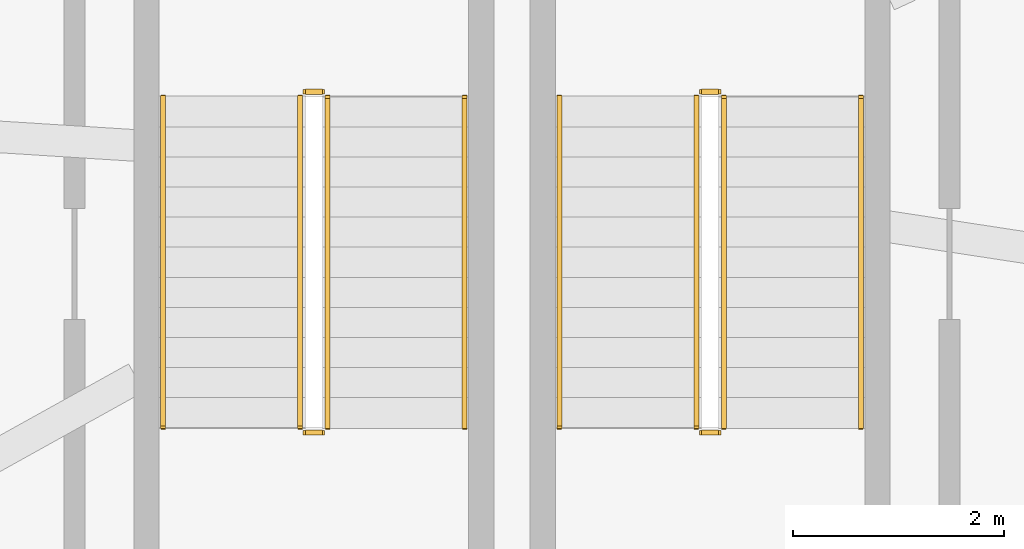
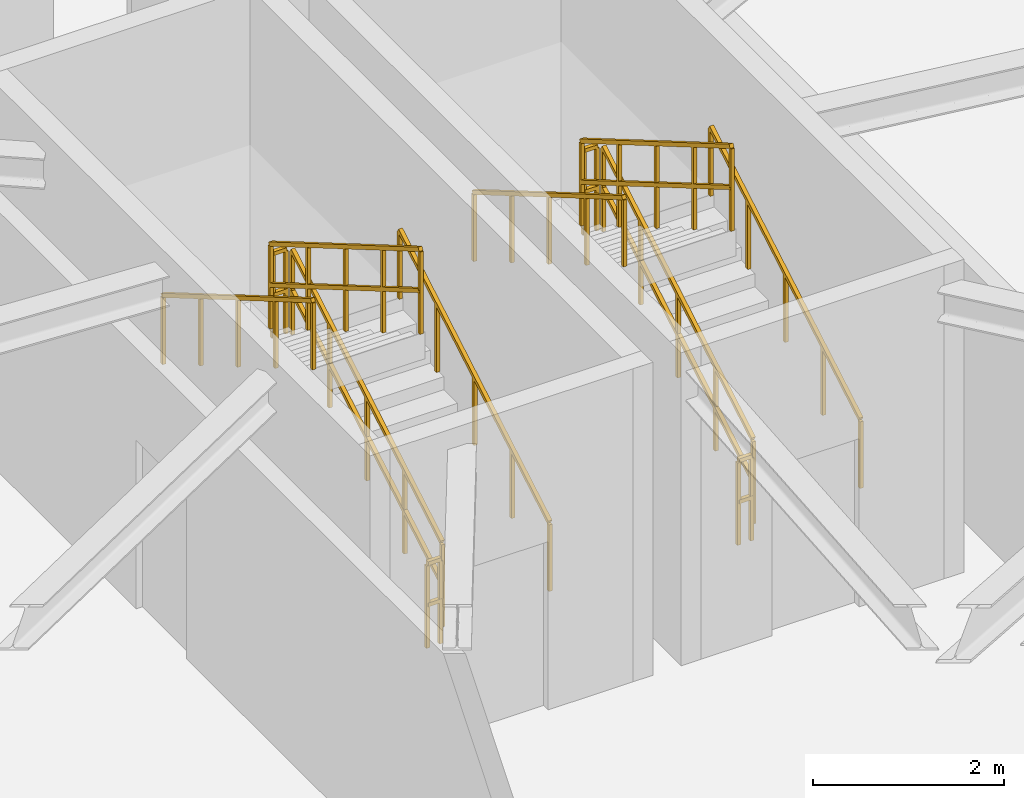
# One storey, part 9 of 9: 12 railings.
"""IFC4 building model written with IfcOpenShell, lengths in metres."""

from ifc_helpers import new_model, si_unit, direction, frame, origin, origin_2d, place, context, subcontext, project, spatial, rectangle, extrude, material, type_object, element, save


model = new_model("IFC4")

# Units and contexts
model_context = context("Model", 3, precision=1e-05, world=origin(), true_north=direction((0.0, 1.0)))
body_context = subcontext(model_context, "Body", "Model", "MODEL_VIEW")
ifc_project = project(units=[si_unit("LENGTHUNIT", "METRE"), si_unit("AREAUNIT", "SQUARE_METRE"), si_unit("VOLUMEUNIT", "CUBIC_METRE"), si_unit("PLANEANGLEUNIT", "RADIAN"), si_unit("MASSUNIT", "GRAM", prefix="KILO"), si_unit("THERMODYNAMICTEMPERATUREUNIT", "KELVIN"), si_unit("POWERUNIT", "WATT")], contexts=[model_context])

# Site, building, storey
site_placement = place(None, origin())
site = spatial("IfcSite", under=ifc_project, at=site_placement, CompositionType="ELEMENT")
building_placement = place(site_placement, origin())
building = spatial("IfcBuilding", under=site, at=building_placement, Name="Ocrelia Relay Tower", CompositionType="ELEMENT")
storey_placement = place(building_placement, frame((0.0, 0.0, 296.0)))
storey = spatial("IfcBuildingStorey", under=building, at=storey_placement, Name="L74", CompositionType="ELEMENT", Elevation=296.0)

# Railings
ifc_material_1 = material(Name="Steel S355 balustrade", Category="steel")
railing_type_1 = type_object("IfcRailingType", Name="RL-STAIR-GUARD", PredefinedType="GUARDRAIL", material=ifc_material_1)
railing_1_placement = place(storey_placement, frame((32.25, 20.64990234375, 0.166748046875)))
element("IfcRailing", 1, at=railing_1_placement, inside=storey, type_object=railing_type_1, Name="L74 ST4 stair guard 1", PredefinedType="GUARDRAIL", context=body_context, shape_type="SweptSolid", body=[
    extrude(rectangle(XDim=0.048095703125, YDim=0.048095703125, at=origin_2d()), frame((0.0, 0.0, 1.076171875), z_axis=(0.0, 0.863239559939, 0.504794475164), x_axis=(-1.0, 0.0, 0.0)), (0.0, 0.0, 1.0), 3.631591796875),
    extrude(rectangle(XDim=0.048095703125, YDim=0.048095703125, at=origin_2d()), frame((0.0, 0.0, 0.550048828125), z_axis=(0.0, 0.863239559939, 0.504794475164), x_axis=(-1.0, 0.0, 0.0)), (0.0, 0.0, 1.0), 3.631591796875),
    extrude(rectangle(XDim=0.0419921875, YDim=0.0419921875, at=origin_2d()), origin(), (0.0, 0.0, 1.0), 1.052001953125),
    extrude(rectangle(XDim=0.0419921875, YDim=0.0419921875, at=origin_2d()), frame((0.0, 0.78369140625, 0.458251953125)), (0.0, 0.0, 1.0), 1.052001953125),
    extrude(rectangle(XDim=0.0419921875, YDim=0.0419921875, at=origin_2d()), frame((0.0, 1.5673828125, 0.91650390625)), (0.0, 0.0, 1.0), 1.052001953125),
    extrude(rectangle(XDim=0.0419921875, YDim=0.0419921875, at=origin_2d()), frame((0.0, 2.351318359375, 1.375)), (0.0, 0.0, 1.0), 1.052001953125),
    extrude(rectangle(XDim=0.0419921875, YDim=0.0419921875, at=origin_2d()), frame((0.0, 3.135009765625, 1.833251953125)), (0.0, 0.0, 1.0), 1.052001953125),
])
railing_2_placement = place(storey_placement, frame((32.199951171875, 23.8349609375, 2.0)))
element("IfcRailing", 2, at=railing_2_placement, inside=storey, type_object=railing_type_1, Name="L74 ST4 stair guard 2", PredefinedType="GUARDRAIL", context=body_context, shape_type="SweptSolid", body=[
    extrude(rectangle(XDim=0.048095703125, YDim=0.048095703125, at=origin_2d()), frame((0.0, 0.0, 1.076171875), z_axis=(-1.0, 0.0, 0.0), x_axis=(0.0, -1.0, 0.0)), (0.0, 0.0, 1.0), 0.159912109375),
    extrude(rectangle(XDim=0.048095703125, YDim=0.048095703125, at=origin_2d()), frame((0.0, 0.0, 0.550048828125), z_axis=(-1.0, 0.0, 0.0), x_axis=(0.0, -1.0, 0.0)), (0.0, 0.0, 1.0), 0.159912109375),
    extrude(rectangle(XDim=0.0419921875, YDim=0.0419921875, at=origin_2d()), origin(), (0.0, 0.0, 1.0), 1.052001953125),
    extrude(rectangle(XDim=0.0419921875, YDim=0.0419921875, at=origin_2d()), frame((-0.159912109375, 0.0, 0.0)), (0.0, 0.0, 1.0), 1.052001953125),
])
railing_3_placement = place(storey_placement, frame((31.989990234375, 23.784912109375, 2.166748046875)))
element("IfcRailing", 3, at=railing_3_placement, inside=storey, type_object=railing_type_1, Name="L74 ST4 stair guard 3", PredefinedType="GUARDRAIL", context=body_context, shape_type="SweptSolid", body=[
    extrude(rectangle(XDim=0.048095703125, YDim=0.048095703125, at=origin_2d()), frame((0.0, 0.0, 1.076171875), z_axis=(0.0, -0.863239559939, 0.504794475164), x_axis=(1.0, 0.0, 0.0)), (0.0, 0.0, 1.0), 3.631591796875),
    extrude(rectangle(XDim=0.048095703125, YDim=0.048095703125, at=origin_2d()), frame((0.0, 0.0, 0.550048828125), z_axis=(0.0, -0.863239559939, 0.504794475164), x_axis=(1.0, 0.0, 0.0)), (0.0, 0.0, 1.0), 3.631591796875),
    extrude(rectangle(XDim=0.0419921875, YDim=0.0419921875, at=origin_2d()), origin(), (0.0, 0.0, 1.0), 1.052001953125),
    extrude(rectangle(XDim=0.0419921875, YDim=0.0419921875, at=origin_2d()), frame((0.0, -0.78369140625, 0.458251953125)), (0.0, 0.0, 1.0), 1.052001953125),
    extrude(rectangle(XDim=0.0419921875, YDim=0.0419921875, at=origin_2d()), frame((0.0, -1.5673828125, 0.91650390625)), (0.0, 0.0, 1.0), 1.052001953125),
    extrude(rectangle(XDim=0.0419921875, YDim=0.0419921875, at=origin_2d()), frame((0.0, -2.351318359375, 1.375)), (0.0, 0.0, 1.0), 1.052001953125),
    extrude(rectangle(XDim=0.0419921875, YDim=0.0419921875, at=origin_2d()), frame((0.0, -3.135009765625, 1.833251953125)), (0.0, 0.0, 1.0), 1.052001953125),
])
railing_4_placement = place(storey_placement, frame((32.199951171875, 20.60009765625, 0.0)))
element("IfcRailing", 4, at=railing_4_placement, inside=storey, type_object=railing_type_1, Name="L74 ST4 stair guard 4", PredefinedType="GUARDRAIL", context=body_context, shape_type="SweptSolid", body=[
    extrude(rectangle(XDim=0.048095703125, YDim=0.048095703125, at=origin_2d()), frame((0.0, 0.0, 1.076171875), z_axis=(-1.0, 0.0, 0.0), x_axis=(0.0, -1.0, 0.0)), (0.0, 0.0, 1.0), 0.159912109375),
    extrude(rectangle(XDim=0.048095703125, YDim=0.048095703125, at=origin_2d()), frame((0.0, 0.0, 0.550048828125), z_axis=(-1.0, 0.0, 0.0), x_axis=(0.0, -1.0, 0.0)), (0.0, 0.0, 1.0), 0.159912109375),
    extrude(rectangle(XDim=0.0419921875, YDim=0.0419921875, at=origin_2d()), origin(), (0.0, 0.0, 1.0), 1.052001953125),
    extrude(rectangle(XDim=0.0419921875, YDim=0.0419921875, at=origin_2d()), frame((-0.159912109375, 0.0, 0.0)), (0.0, 0.0, 1.0), 1.052001953125),
])
railing_5_placement = place(storey_placement, frame((36.010009765625, 20.64990234375, 0.166748046875)))
element("IfcRailing", 5, at=railing_5_placement, inside=storey, type_object=railing_type_1, Name="L74 ST5 stair guard 1", PredefinedType="GUARDRAIL", context=body_context, shape_type="SweptSolid", body=[
    extrude(rectangle(XDim=0.048095703125, YDim=0.048095703125, at=origin_2d()), frame((0.0, 0.0, 1.076171875), z_axis=(0.0, 0.863239559939, 0.504794475164), x_axis=(-1.0, 0.0, 0.0)), (0.0, 0.0, 1.0), 3.631591796875),
    extrude(rectangle(XDim=0.048095703125, YDim=0.048095703125, at=origin_2d()), frame((0.0, 0.0, 0.550048828125), z_axis=(0.0, 0.863239559939, 0.504794475164), x_axis=(-1.0, 0.0, 0.0)), (0.0, 0.0, 1.0), 3.631591796875),
    extrude(rectangle(XDim=0.0419921875, YDim=0.0419921875, at=origin_2d()), origin(), (0.0, 0.0, 1.0), 1.052001953125),
    extrude(rectangle(XDim=0.0419921875, YDim=0.0419921875, at=origin_2d()), frame((0.0, 0.78369140625, 0.458251953125)), (0.0, 0.0, 1.0), 1.052001953125),
    extrude(rectangle(XDim=0.0419921875, YDim=0.0419921875, at=origin_2d()), frame((0.0, 1.5673828125, 0.91650390625)), (0.0, 0.0, 1.0), 1.052001953125),
    extrude(rectangle(XDim=0.0419921875, YDim=0.0419921875, at=origin_2d()), frame((0.0, 2.351318359375, 1.375)), (0.0, 0.0, 1.0), 1.052001953125),
    extrude(rectangle(XDim=0.0419921875, YDim=0.0419921875, at=origin_2d()), frame((0.0, 3.135009765625, 1.833251953125)), (0.0, 0.0, 1.0), 1.052001953125),
])
railing_6_placement = place(storey_placement, frame((35.9599609375, 23.8349609375, 2.0)))
element("IfcRailing", 6, at=railing_6_placement, inside=storey, type_object=railing_type_1, Name="L74 ST5 stair guard 2", PredefinedType="GUARDRAIL", context=body_context, shape_type="SweptSolid", body=[
    extrude(rectangle(XDim=0.048095703125, YDim=0.048095703125, at=origin_2d()), frame((0.0, 0.0, 1.076171875), z_axis=(-1.0, 0.0, 0.0), x_axis=(0.0, -1.0, 0.0)), (0.0, 0.0, 1.0), 0.159912109375),
    extrude(rectangle(XDim=0.048095703125, YDim=0.048095703125, at=origin_2d()), frame((0.0, 0.0, 0.550048828125), z_axis=(-1.0, 0.0, 0.0), x_axis=(0.0, -1.0, 0.0)), (0.0, 0.0, 1.0), 0.159912109375),
    extrude(rectangle(XDim=0.0419921875, YDim=0.0419921875, at=origin_2d()), origin(), (0.0, 0.0, 1.0), 1.052001953125),
    extrude(rectangle(XDim=0.0419921875, YDim=0.0419921875, at=origin_2d()), frame((-0.159912109375, 0.0, 0.0)), (0.0, 0.0, 1.0), 1.052001953125),
])
railing_7_placement = place(storey_placement, frame((35.75, 23.784912109375, 2.166748046875)))
element("IfcRailing", 7, at=railing_7_placement, inside=storey, type_object=railing_type_1, Name="L74 ST5 stair guard 3", PredefinedType="GUARDRAIL", context=body_context, shape_type="SweptSolid", body=[
    extrude(rectangle(XDim=0.048095703125, YDim=0.048095703125, at=origin_2d()), frame((0.0, 0.0, 1.076171875), z_axis=(0.0, -0.863239559939, 0.504794475164), x_axis=(1.0, 0.0, 0.0)), (0.0, 0.0, 1.0), 3.631591796875),
    extrude(rectangle(XDim=0.048095703125, YDim=0.048095703125, at=origin_2d()), frame((0.0, 0.0, 0.550048828125), z_axis=(0.0, -0.863239559939, 0.504794475164), x_axis=(1.0, 0.0, 0.0)), (0.0, 0.0, 1.0), 3.631591796875),
    extrude(rectangle(XDim=0.0419921875, YDim=0.0419921875, at=origin_2d()), origin(), (0.0, 0.0, 1.0), 1.052001953125),
    extrude(rectangle(XDim=0.0419921875, YDim=0.0419921875, at=origin_2d()), frame((0.0, -0.78369140625, 0.458251953125)), (0.0, 0.0, 1.0), 1.052001953125),
    extrude(rectangle(XDim=0.0419921875, YDim=0.0419921875, at=origin_2d()), frame((0.0, -1.5673828125, 0.91650390625)), (0.0, 0.0, 1.0), 1.052001953125),
    extrude(rectangle(XDim=0.0419921875, YDim=0.0419921875, at=origin_2d()), frame((0.0, -2.351318359375, 1.375)), (0.0, 0.0, 1.0), 1.052001953125),
    extrude(rectangle(XDim=0.0419921875, YDim=0.0419921875, at=origin_2d()), frame((0.0, -3.135009765625, 1.833251953125)), (0.0, 0.0, 1.0), 1.052001953125),
])
railing_8_placement = place(storey_placement, frame((35.9599609375, 20.60009765625, 0.0)))
element("IfcRailing", 8, at=railing_8_placement, inside=storey, type_object=railing_type_1, Name="L74 ST5 stair guard 4", PredefinedType="GUARDRAIL", context=body_context, shape_type="SweptSolid", body=[
    extrude(rectangle(XDim=0.048095703125, YDim=0.048095703125, at=origin_2d()), frame((0.0, 0.0, 1.076171875), z_axis=(-1.0, 0.0, 0.0), x_axis=(0.0, -1.0, 0.0)), (0.0, 0.0, 1.0), 0.159912109375),
    extrude(rectangle(XDim=0.048095703125, YDim=0.048095703125, at=origin_2d()), frame((0.0, 0.0, 0.550048828125), z_axis=(-1.0, 0.0, 0.0), x_axis=(0.0, -1.0, 0.0)), (0.0, 0.0, 1.0), 0.159912109375),
    extrude(rectangle(XDim=0.0419921875, YDim=0.0419921875, at=origin_2d()), origin(), (0.0, 0.0, 1.0), 1.052001953125),
    extrude(rectangle(XDim=0.0419921875, YDim=0.0419921875, at=origin_2d()), frame((-0.159912109375, 0.0, 0.0)), (0.0, 0.0, 1.0), 1.052001953125),
])
ifc_material_2 = material(Name="Steel S355 tubular handrail", Category="steel")
railing_type_2 = type_object("IfcRailingType", Name="RL-STAIR-HAND", PredefinedType="HANDRAIL", material=ifc_material_2)
railing_9_placement = place(storey_placement, frame((33.550048828125, 20.64990234375, 0.166748046875)))
element("IfcRailing", 9, at=railing_9_placement, inside=storey, type_object=railing_type_2, Name="L74 ST4 stair handrail 1", PredefinedType="HANDRAIL", context=body_context, shape_type="SweptSolid", body=[
    extrude(rectangle(XDim=0.048095703125, YDim=0.048095703125, at=origin_2d()), frame((0.0, 0.0, 0.8759765625), z_axis=(0.0, 0.863239559939, 0.504794475164), x_axis=(-1.0, 0.0, 0.0)), (0.0, 0.0, 1.0), 3.631591796875),
    extrude(rectangle(XDim=0.0419921875, YDim=0.0419921875, at=origin_2d()), origin(), (0.0, 0.0, 1.0), 0.851806640625),
    extrude(rectangle(XDim=0.0419921875, YDim=0.0419921875, at=origin_2d()), frame((0.0, 0.78369140625, 0.458251953125)), (0.0, 0.0, 1.0), 0.851806640625),
    extrude(rectangle(XDim=0.0419921875, YDim=0.0419921875, at=origin_2d()), frame((0.0, 1.5673828125, 0.91650390625)), (0.0, 0.0, 1.0), 0.851806640625),
    extrude(rectangle(XDim=0.0419921875, YDim=0.0419921875, at=origin_2d()), frame((0.0, 2.351318359375, 1.375)), (0.0, 0.0, 1.0), 0.851806640625),
    extrude(rectangle(XDim=0.0419921875, YDim=0.0419921875, at=origin_2d()), frame((0.0, 3.135009765625, 1.833251953125)), (0.0, 0.0, 1.0), 0.851806640625),
])
railing_10_placement = place(storey_placement, frame((30.68994140625, 23.784912109375, 2.166748046875)))
element("IfcRailing", 10, at=railing_10_placement, inside=storey, type_object=railing_type_2, Name="L74 ST4 stair handrail 2", PredefinedType="HANDRAIL", context=body_context, shape_type="SweptSolid", body=[
    extrude(rectangle(XDim=0.048095703125, YDim=0.048095703125, at=origin_2d()), frame((0.0, 0.0, 0.8759765625), z_axis=(0.0, -0.863239559939, 0.504794475164), x_axis=(1.0, 0.0, 0.0)), (0.0, 0.0, 1.0), 3.631591796875),
    extrude(rectangle(XDim=0.0419921875, YDim=0.0419921875, at=origin_2d()), origin(), (0.0, 0.0, 1.0), 0.851806640625),
    extrude(rectangle(XDim=0.0419921875, YDim=0.0419921875, at=origin_2d()), frame((0.0, -0.78369140625, 0.458251953125)), (0.0, 0.0, 1.0), 0.851806640625),
    extrude(rectangle(XDim=0.0419921875, YDim=0.0419921875, at=origin_2d()), frame((0.0, -1.5673828125, 0.91650390625)), (0.0, 0.0, 1.0), 0.851806640625),
    extrude(rectangle(XDim=0.0419921875, YDim=0.0419921875, at=origin_2d()), frame((0.0, -2.351318359375, 1.375)), (0.0, 0.0, 1.0), 0.851806640625),
    extrude(rectangle(XDim=0.0419921875, YDim=0.0419921875, at=origin_2d()), frame((0.0, -3.135009765625, 1.833251953125)), (0.0, 0.0, 1.0), 0.851806640625),
])
railing_11_placement = place(storey_placement, frame((37.31005859375, 20.64990234375, 0.166748046875)))
element("IfcRailing", 11, at=railing_11_placement, inside=storey, type_object=railing_type_2, Name="L74 ST5 stair handrail 1", PredefinedType="HANDRAIL", context=body_context, shape_type="SweptSolid", body=[
    extrude(rectangle(XDim=0.048095703125, YDim=0.048095703125, at=origin_2d()), frame((0.0, 0.0, 0.8759765625), z_axis=(0.0, 0.863239559939, 0.504794475164), x_axis=(-1.0, 0.0, 0.0)), (0.0, 0.0, 1.0), 3.631591796875),
    extrude(rectangle(XDim=0.0419921875, YDim=0.0419921875, at=origin_2d()), origin(), (0.0, 0.0, 1.0), 0.851806640625),
    extrude(rectangle(XDim=0.0419921875, YDim=0.0419921875, at=origin_2d()), frame((0.0, 0.78369140625, 0.458251953125)), (0.0, 0.0, 1.0), 0.851806640625),
    extrude(rectangle(XDim=0.0419921875, YDim=0.0419921875, at=origin_2d()), frame((0.0, 1.5673828125, 0.91650390625)), (0.0, 0.0, 1.0), 0.851806640625),
    extrude(rectangle(XDim=0.0419921875, YDim=0.0419921875, at=origin_2d()), frame((0.0, 2.351318359375, 1.375)), (0.0, 0.0, 1.0), 0.851806640625),
    extrude(rectangle(XDim=0.0419921875, YDim=0.0419921875, at=origin_2d()), frame((0.0, 3.135009765625, 1.833251953125)), (0.0, 0.0, 1.0), 0.851806640625),
])
railing_12_placement = place(storey_placement, frame((34.449951171875, 23.784912109375, 2.166748046875)))
element("IfcRailing", 12, at=railing_12_placement, inside=storey, type_object=railing_type_2, Name="L74 ST5 stair handrail 2", PredefinedType="HANDRAIL", context=body_context, shape_type="SweptSolid", body=[
    extrude(rectangle(XDim=0.048095703125, YDim=0.048095703125, at=origin_2d()), frame((0.0, 0.0, 0.8759765625), z_axis=(0.0, -0.863239559939, 0.504794475164), x_axis=(1.0, 0.0, 0.0)), (0.0, 0.0, 1.0), 3.631591796875),
    extrude(rectangle(XDim=0.0419921875, YDim=0.0419921875, at=origin_2d()), origin(), (0.0, 0.0, 1.0), 0.851806640625),
    extrude(rectangle(XDim=0.0419921875, YDim=0.0419921875, at=origin_2d()), frame((0.0, -0.78369140625, 0.458251953125)), (0.0, 0.0, 1.0), 0.851806640625),
    extrude(rectangle(XDim=0.0419921875, YDim=0.0419921875, at=origin_2d()), frame((0.0, -1.5673828125, 0.91650390625)), (0.0, 0.0, 1.0), 0.851806640625),
    extrude(rectangle(XDim=0.0419921875, YDim=0.0419921875, at=origin_2d()), frame((0.0, -2.351318359375, 1.375)), (0.0, 0.0, 1.0), 0.851806640625),
    extrude(rectangle(XDim=0.0419921875, YDim=0.0419921875, at=origin_2d()), frame((0.0, -3.135009765625, 1.833251953125)), (0.0, 0.0, 1.0), 0.851806640625),
])

save(model, "model.ifc")
